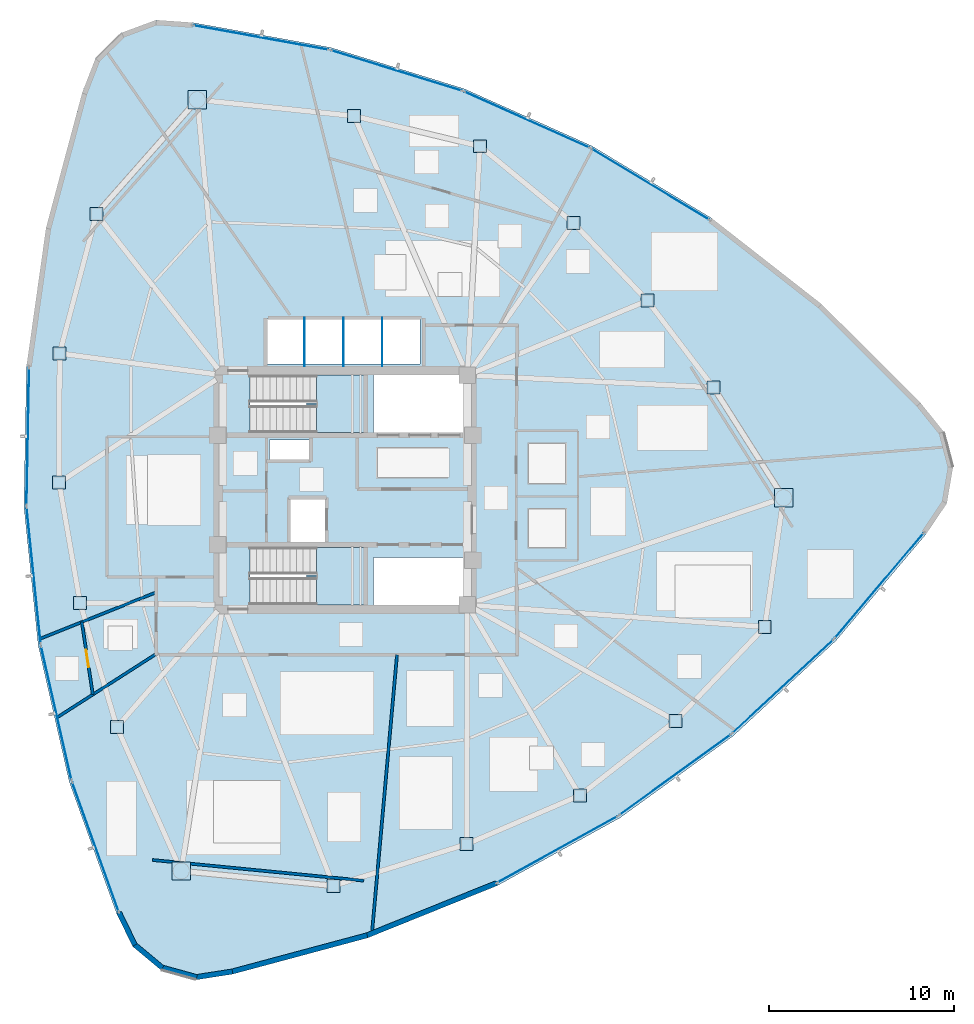
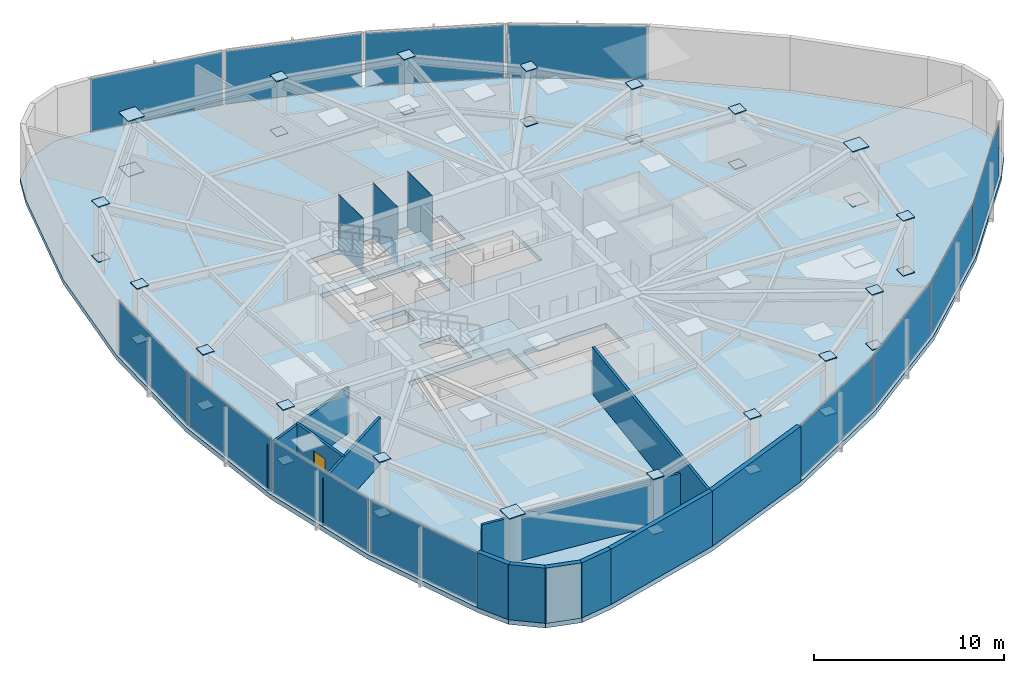
# One storey, part 10 of 17: 51 plates, 11 walls, 3 slabs, 1 door, 1 opening, 14 elements without a shape of their own.
"""IFC4 building model written with IfcOpenShell, lengths in metres."""

from ifc_helpers import new_model, si_unit, direction, frame, frame_2d, origin, origin_2d, place, context, subcontext, project, spatial, polyline, rectangle, outline, extrude, source, transform, mapped, material, layer, layer_set, type_object, type_shapes, element, fill, aggregate, save


model = new_model("IFC4")

# Units and contexts
model_context = context("Model", 3, precision=1e-05, world=origin(), true_north=direction((0.0, 1.0)))
body_context = subcontext(model_context, "Body", "Model", "MODEL_VIEW")
ifc_project = project(units=[si_unit("LENGTHUNIT", "METRE"), si_unit("AREAUNIT", "SQUARE_METRE"), si_unit("VOLUMEUNIT", "CUBIC_METRE"), si_unit("PLANEANGLEUNIT", "RADIAN"), si_unit("MASSUNIT", "GRAM", prefix="KILO")], contexts=[model_context])

# Site, building, storey
site_placement = place(None, origin())
site = spatial("IfcSite", under=ifc_project, at=site_placement, CompositionType="ELEMENT")
building_placement = place(site_placement, origin())
building = spatial("IfcBuilding", under=site, at=building_placement, Name="Tavelor Broadcast Tower", CompositionType="ELEMENT")
storey_placement = place(building_placement, frame((0.0, 0.0, 169.5)))
storey = spatial("IfcBuildingStorey", under=building, at=storey_placement, Name="L40", CompositionType="ELEMENT", Elevation=169.5)

# Stair, slab
ifc_material_1 = material(Name="Concrete C40/50", Category="concrete")
stair_type = type_object("IfcStairType", Name="Reinforced Concrete Protected Dogleg Stair 1450 mm", PredefinedType="HALF_TURN_STAIR", material=ifc_material_1)
stair_1_placement = place(storey_placement, origin())
stair_1 = element("IfcStair", 1, at=stair_1_placement, inside=storey, type_object=stair_type, Name="L40 Protected Core Exit Stair ST1", PredefinedType="HALF_TURN_STAIR")
ifc_layer_1 = layer(ifc_material_1, 0.199951171875)
ifc_layer_set_1 = layer_set([ifc_layer_1], Name="Concrete C40/50")
slab_type_1 = type_object("IfcSlabType", Name="Reinforced Concrete Stair Half-Landing Slab 200 mm", PredefinedType="LANDING", material=ifc_layer_set_1)
slab_1_placement = place(storey_placement, frame((0.0, 0.0, 1.72509765625)))
slab_1 = element("IfcSlab", 2, at=slab_1_placement, type_object=slab_type_1, Name="ST1 landing 1", PredefinedType="LANDING", context=body_context, shape_type="SweptSolid", body=[
    extrude(outline(polyline([(48.445068359375, 49.590087890625), (48.445068359375, 48.094970703125), (51.0048828125, 48.094970703125), (51.0048828125, 51.205078125), (48.445068359375, 51.205078125), (48.445068359375, 49.7099609375), (47.905029296875, 49.7099609375), (47.905029296875, 49.590087890625), (48.445068359375, 49.590087890625)])), origin(), (0.0, 0.0, 1.0), 0.199951171875),
])
aggregate(stair_1, [slab_1])

stair_2_placement = place(storey_placement, origin())
stair_2 = element("IfcStair", 3, at=stair_2_placement, inside=storey, type_object=stair_type, Name="L40 Protected Core Exit Stair ST2", PredefinedType="HALF_TURN_STAIR")
slab_2_placement = place(storey_placement, frame((0.0, 0.0, 1.72509765625)))
slab_2 = element("IfcSlab", 4, at=slab_2_placement, type_object=slab_type_1, Name="ST2 landing 1", PredefinedType="LANDING", context=body_context, shape_type="SweptSolid", body=[
    extrude(outline(polyline([(48.445068359375, 40.2900390625), (48.445068359375, 38.794921875), (51.0048828125, 38.794921875), (51.0048828125, 41.905029296875), (48.445068359375, 41.905029296875), (48.445068359375, 40.409912109375), (47.905029296875, 40.409912109375), (47.905029296875, 40.2900390625), (48.445068359375, 40.2900390625)])), origin(), (0.0, 0.0, 1.0), 0.199951171875),
])
aggregate(stair_2, [slab_2])

# Slab
ifc_layer_2 = layer(ifc_material_1, 0.300048828125)
ifc_layer_set_2 = layer_set([ifc_layer_2], Name="Concrete C40/50")
slab_type_2 = type_object("IfcSlabType", Name="Tower Composite Floor Slab 300 mm", PredefinedType="FLOOR", material=ifc_layer_set_2)
slab_3_placement = place(storey_placement, frame((0.0, 0.0, -0.300048828125)))
element("IfcSlab", 5, at=slab_3_placement, inside=storey, type_object=slab_type_2, Name="L40 Structural Floor Slab", PredefinedType="FLOOR", context=body_context, shape_type="SweptSolid", body=[
    extrude(outline(polyline([(41.767578125, 70.246337890625), (39.78759765625, 70.386474609375), (37.92529296875, 69.699462890625), (36.5107421875, 68.306884765625), (35.79443359375, 66.455810546875), (33.842041015625, 59.156982421875), (32.787109375, 51.67578125), (32.6455078125, 44.12158203125), (33.418701171875, 36.606201171875), (35.095947265625, 29.2392578125), (37.65234375, 22.129638671875), (38.52099609375, 20.3447265625), (40.047119140625, 19.075439453125), (41.960205078125, 18.546630859375), (43.921630859375, 18.85205078125), (51.218505859375, 20.810546875), (58.22509765625, 23.6376953125), (64.837890625, 27.2919921875), (70.9599609375, 31.719482421875), (76.501220703125, 36.85546875), (81.380126953125, 42.6240234375), (82.49169921875, 44.268798828125), (82.82763671875, 46.22509765625), (82.3291015625, 48.146240234375), (81.083984375, 49.692138671875), (75.7392578125, 55.032470703125), (69.787841796875, 59.6865234375), (63.316650390625, 63.586181640625), (56.42138671875, 66.67431640625), (49.202880859375, 68.9052734375), (41.767578125, 70.246337890625)]), holes=[polyline([(56.60009765625, 41.35009765625), (56.60009765625, 38.800048828125), (51.52001953125, 38.800048828125), (51.52001953125, 41.35009765625), (56.60009765625, 41.35009765625)]), polyline([(50.99609375, 38.803955078125), (44.85400390625, 38.803955078125), (44.85400390625, 41.89599609375), (50.99609375, 41.89599609375), (50.99609375, 38.803955078125)]), polyline([(47.050048828125, 42.199951171875), (47.050048828125, 44.550048828125), (48.949951171875, 44.550048828125), (48.949951171875, 42.199951171875), (47.050048828125, 42.199951171875)]), polyline([(48.050048828125, 46.64990234375), (45.89990234375, 46.64990234375), (45.89990234375, 47.699951171875), (48.050048828125, 47.699951171875), (48.050048828125, 46.64990234375)]), polyline([(50.99609375, 48.10400390625), (44.85400390625, 48.10400390625), (44.85400390625, 51.196044921875), (50.99609375, 51.196044921875), (50.99609375, 48.10400390625)]), polyline([(56.60009765625, 48.10009765625), (51.52001953125, 48.10009765625), (51.52001953125, 51.199951171875), (56.60009765625, 51.199951171875), (56.60009765625, 48.10009765625)]), polyline([(54.050048828125, 51.800048828125), (45.800048828125, 51.800048828125), (45.800048828125, 54.25), (54.050048828125, 54.25), (54.050048828125, 51.800048828125)])]), origin(), (0.0, 0.0, 1.0), 0.300048828125),
])

# Plates
ifc_material_2 = material(Name="Steel S460", Category="steel")
ifc_layer_3 = layer(ifc_material_2, 0.050048828125)
ifc_layer_set_3 = layer_set([ifc_layer_3], Name="Steel S460")
plate_type_1 = type_object("IfcPlateType", Name="Tube Hollow-End Cap Plate KN05 700x700x50", PredefinedType="USERDEFINED", material=ifc_layer_set_3)
shared_shape_1 = source(origin(), body_context, "Body", "SweptSolid", [
    extrude(rectangle(XDim=0.699951171875, YDim=0.699951171875, at=origin_2d()), origin(), (0.0, 0.0, 1.0), 0.054931640625),
])
for number, where, z_axis, x_axis, name in (
    (6, (36.567626953125, 59.91064453125, -0.02734375), (0.0, 0.0, 1.0), (1.0, 0.0, 0.0), "L40 Hollow End Cap Plate KN05 #1145"),
    (7, (36.567626953125, 59.91064453125, 3.5224609375), (0.0, 0.0, 1.0), (1.0, 0.0, 0.0), "L40 Hollow End Cap Plate KN05 #1146"),
    (8, (34.5751953125, 52.37939453125, -0.02734375), (0.0, 0.0, 1.0), (1.0, 0.0, 0.0), "L40 Hollow End Cap Plate KN05 #1147"),
    (9, (34.5751953125, 52.37939453125, 3.5224609375), (0.0, 0.0, 1.0), (1.0, 0.0, 0.0), "L40 Hollow End Cap Plate KN05 #1148"),
    (10, (34.54638671875, 45.399169921875, -0.02734375), (0.0, 0.0, 1.0), (1.0, 0.0, 0.0), "L40 Hollow End Cap Plate KN05 #1149"),
    (11, (34.54638671875, 45.399169921875, 3.5224609375), (0.0, 0.0, 1.0), (1.0, 0.0, 0.0), "L40 Hollow End Cap Plate KN05 #1150"),
    (12, (35.680908203125, 38.89990234375, -0.02734375), (0.0, 0.0, 1.0), (1.0, 0.0, 0.0), "L40 Hollow End Cap Plate KN05 #1151"),
    (13, (35.680908203125, 38.89990234375, 3.5224609375), (0.0, 0.0, 1.0), (1.0, 0.0, 0.0), "L40 Hollow End Cap Plate KN05 #1152"),
    (14, (37.668212890625, 32.1904296875, -0.02734375), (0.0, 0.0, 1.0), (1.0, 0.0, 0.0), "L40 Hollow End Cap Plate KN05 #1153"),
    (15, (37.668212890625, 32.1904296875, 3.5224609375), (0.0, 0.0, 1.0), (1.0, 0.0, 0.0), "L40 Hollow End Cap Plate KN05 #1154"),
    (16, (49.366455078125, 23.618896484375, -0.02734375), (0.0, 0.0, 1.0), (1.0, 0.0, 0.0), "L40 Hollow End Cap Plate KN05 #1157"),
    (17, (49.366455078125, 23.618896484375, 3.5224609375), (0.0, 0.0, 1.0), (1.0, 0.0, 0.0), "L40 Hollow End Cap Plate KN05 #1158"),
    (18, (56.56103515625, 25.872802734375, -0.02734375), (0.0, 0.0, 1.0), (1.0, 0.0, 0.0), "L40 Hollow End Cap Plate KN05 #1159"),
    (19, (56.56103515625, 25.872802734375, 3.5224609375), (0.0, 0.0, 1.0), (1.0, 0.0, 0.0), "L40 Hollow End Cap Plate KN05 #1160"),
    (20, (62.669189453125, 28.503173828125, -0.02734375), (0.0, 0.0, 1.0), (1.0, 0.0, 0.0), "L40 Hollow End Cap Plate KN05 #1161"),
    (21, (62.669189453125, 28.503173828125, 3.5224609375), (0.0, 0.0, 1.0), (1.0, 0.0, 0.0), "L40 Hollow End Cap Plate KN05 #1162"),
    (22, (67.84228515625, 32.53173828125, -0.02734375), (0.0, 0.0, 1.0), (1.0, 0.0, 0.0), "L40 Hollow End Cap Plate KN05 #1163"),
    (23, (67.84228515625, 32.53173828125, 3.5224609375), (0.0, 0.0, 1.0), (1.0, 0.0, 0.0), "L40 Hollow End Cap Plate KN05 #1164"),
    (24, (72.6591796875, 37.607421875, -0.02734375), (0.0, 0.0, 1.0), (1.0, 0.0, 0.0), "L40 Hollow End Cap Plate KN05 #1165"),
    (25, (72.6591796875, 37.607421875, 3.5224609375), (0.0, 0.0, 1.0), (1.0, 0.0, 0.0), "L40 Hollow End Cap Plate KN05 #1166"),
    (26, (69.885986328125, 50.544189453125, -0.02734375), (0.0, 0.0, 1.0), (1.0, 0.0, 0.0), "L40 Hollow End Cap Plate KN05 #1169"),
    (27, (69.885986328125, 50.544189453125, 3.5224609375), (0.0, 0.0, 1.0), (1.0, 0.0, 0.0), "L40 Hollow End Cap Plate KN05 #1170"),
    (28, (66.322021484375, 55.228759765625, -0.02734375), (0.0, 0.0, 1.0), (1.0, 0.0, 0.0), "L40 Hollow End Cap Plate KN05 #1171"),
    (29, (66.322021484375, 55.228759765625, 3.5224609375), (0.0, 0.0, 1.0), (1.0, 0.0, 0.0), "L40 Hollow End Cap Plate KN05 #1172"),
    (30, (62.330810546875, 59.416259765625, -0.02734375), (0.0, 0.0, 1.0), (1.0, 0.0, 0.0), "L40 Hollow End Cap Plate KN05 #1173"),
    (31, (62.330810546875, 59.416259765625, 3.5224609375), (0.0, 0.0, 1.0), (1.0, 0.0, 0.0), "L40 Hollow End Cap Plate KN05 #1174"),
    (32, (57.276611328125, 63.568359375, -0.02734375), (0.0, 0.0, 1.0), (1.0, 0.0, 0.0), "L40 Hollow End Cap Plate KN05 #1175"),
    (33, (57.276611328125, 63.568359375, 3.5224609375), (0.0, 0.0, 1.0), (1.0, 0.0, 0.0), "L40 Hollow End Cap Plate KN05 #1176"),
    (34, (50.472412109375, 65.2021484375, -0.02734375), (0.0, 0.0, 1.0), (1.0, 0.0, 0.0), "L40 Hollow End Cap Plate KN05 #1177"),
    (35, (50.472412109375, 65.2021484375, 3.5224609375), (0.0, 0.0, 1.0), (1.0, 0.0, 0.0), "L40 Hollow End Cap Plate KN05 #1178"),
):
    element("IfcPlate", number, at=place(storey_placement, frame(where, z_axis=z_axis, x_axis=x_axis)), inside=storey, type_object=plate_type_1, Name=name, ObjectType="CAP PLATE", PredefinedType="USERDEFINED", context=body_context, shape_type="MappedRepresentation", body=[
        mapped(shared_shape_1, transform((0.0, 0.0, 0.0), scale=1.0)),
    ])
shared_shape_2 = source(origin(), body_context, "Body", "SweptSolid", [
    extrude(rectangle(XDim=0.993896484375, YDim=0.993896484375, at=origin_2d()), origin(), (0.0, 0.0, 1.0), 0.054931640625),
])
type_shapes(plate_type_1, [shared_shape_1, shared_shape_2])
for number, where, z_axis, x_axis, name in (
    (36, (42.01123046875, 66.080078125, -0.02734375), (0.0, 0.0, 1.0), (1.0, 0.0, 0.0), "L40 Hollow End Cap Plate KN05 #1143"),
    (37, (42.01123046875, 66.080078125, 3.5224609375), (0.0, 0.0, 1.0), (1.0, 0.0, 0.0), "L40 Hollow End Cap Plate KN05 #1144"),
    (38, (41.138671875, 24.423828125, -0.02734375), (0.0, 0.0, 1.0), (1.0, 0.0, 0.0), "L40 Hollow End Cap Plate KN05 #1155"),
    (39, (41.138671875, 24.423828125, 3.5224609375), (0.0, 0.0, 1.0), (1.0, 0.0, 0.0), "L40 Hollow End Cap Plate KN05 #1156"),
    (40, (73.676025390625, 44.57958984375, -0.02734375), (0.0, 0.0, 1.0), (1.0, 0.0, 0.0), "L40 Hollow End Cap Plate KN05 #1167"),
    (41, (73.676025390625, 44.57958984375, 3.5224609375), (0.0, 0.0, 1.0), (1.0, 0.0, 0.0), "L40 Hollow End Cap Plate KN05 #1168"),
):
    element("IfcPlate", number, at=place(storey_placement, frame(where, z_axis=z_axis, x_axis=x_axis)), inside=storey, type_object=plate_type_1, Name=name, ObjectType="CAP PLATE", PredefinedType="USERDEFINED", context=body_context, shape_type="MappedRepresentation", body=[
        mapped(shared_shape_2, transform((0.0, 0.0, 0.0), scale=1.0)),
    ])
ifc_material_3 = material(Name="Steel S355", Category="steel")
ifc_layer_4 = layer(ifc_material_3, 0.011962890625)
ifc_layer_set_4 = layer_set([ifc_layer_4], Name="Steel S355")
plate_type_2 = type_object("IfcPlateType", Name="Hoistway Steel Separator Screen 12 mm", PredefinedType="SHEET", material=ifc_layer_set_4)
shared_shape_3 = source(origin(), body_context, "Body", "SweptSolid", [
    extrude(rectangle(XDim=0.02001953125, YDim=2.6201171875, at=origin_2d()), origin(), (0.0, 0.0, 1.0), 3.550048828125),
])
type_shapes(plate_type_2, [shared_shape_3])
for number, where, z_axis, x_axis, name in (
    (42, (47.800048828125, 52.989990234375, 0.0), (0.0, 0.0, 1.0), (1.0, 0.0, 0.0), "L40 High-Rise Hoistway Separator Screen 1"),
    (43, (49.89990234375, 52.989990234375, 0.0), (0.0, 0.0, 1.0), (1.0, 0.0, 0.0), "L40 High-Rise Hoistway Separator Screen 2"),
    (44, (52.0, 52.989990234375, 0.0), (0.0, 0.0, 1.0), (1.0, 0.0, 0.0), "L40 High-Rise Hoistway Separator Screen 3"),
):
    element("IfcPlate", number, at=place(storey_placement, frame(where, z_axis=z_axis, x_axis=x_axis)), inside=storey, type_object=plate_type_2, Name=name, PredefinedType="SHEET", context=body_context, shape_type="MappedRepresentation", body=[
        mapped(shared_shape_3, transform((0.0, 0.0, 0.0), scale=1.0)),
    ])

# Curtain wall, plate
ifc_material_4 = material(Name="Architectural Anodized Aluminium", Category="aluminium")
ifc_layer_5 = layer(ifc_material_4, 0.18994140625)
ifc_layer_set_5 = layer_set([ifc_layer_5], Name="Architectural Anodized Aluminium")
curtain_wall_type = type_object("IfcCurtainWallType", Name="Tower Mid-Zone Acoustic Curtain Wall CW03", PredefinedType="NOTDEFINED", material=ifc_layer_set_5)
curtain_wall_1_placement = place(storey_placement, origin())
curtain_wall_1 = element("IfcCurtainWall", 45, at=curtain_wall_1_placement, inside=storey, type_object=curtain_wall_type, Name="L40 Curtain Wall CW03 Run 424", PredefinedType="NOTDEFINED")
ifc_material_5 = material(Name="Solar Control Double Glazing 30 mm", Category="glass")
ifc_layer_6 = layer(ifc_material_5, 0.030029296875)
ifc_layer_set_6 = layer_set([ifc_layer_6], Name="Solar Control Double Glazing 30 mm")
plate_type_3 = type_object("IfcPlateType", Name="CW03 Insulated Vision Glazing Panel 30 mm", PredefinedType="CURTAIN_PANEL", material=ifc_layer_set_6)
shared_shape_4 = source(origin(), body_context, "Body", "SweptSolid", [
    extrude(rectangle(XDim=7.38818359375, YDim=0.030029296875, at=origin_2d()), origin(), (0.0, 0.0, 1.0), 3.4140625),
])
plate_1_placement = place(storey_placement, frame((36.508544921875, 25.724365234375, 0.06787109375), z_axis=(0.0, 0.0, 1.0), x_axis=(0.338345297906, -0.941022029171, 0.0)))
plate_1 = element("IfcPlate", 46, at=plate_1_placement, type_object=plate_type_3, Name="CW03 panel 1.1", PredefinedType="CURTAIN_PANEL", context=body_context, shape_type="MappedRepresentation", body=[
    mapped(shared_shape_4, transform((0.0, 0.0, 0.0), scale=1.0)),
])
aggregate(curtain_wall_1, [plate_1])

curtain_wall_2_placement = place(storey_placement, origin())
curtain_wall_2 = element("IfcCurtainWall", 47, at=curtain_wall_2_placement, inside=storey, type_object=curtain_wall_type, Name="L40 Curtain Wall CW03 Run 428", PredefinedType="NOTDEFINED")
plate_2_placement = place(storey_placement, frame((78.8388671875, 39.836181640625, 0.06787109375), z_axis=(0.0, 0.0, 1.0), x_axis=(0.645774215025, 0.763528429863, 0.0)))
plate_2 = element("IfcPlate", 48, at=plate_2_placement, type_object=plate_type_3, Name="CW03 panel 1.1", PredefinedType="CURTAIN_PANEL", context=body_context, shape_type="MappedRepresentation", body=[
    mapped(shared_shape_4, transform((0.0, 0.0, 0.0), scale=1.0)),
])
aggregate(curtain_wall_2, [plate_2])

curtain_wall_3_placement = place(storey_placement, origin())
curtain_wall_3 = element("IfcCurtainWall", 49, at=curtain_wall_3_placement, inside=storey, type_object=curtain_wall_type, Name="L40 Curtain Wall CW03 Run 432", PredefinedType="NOTDEFINED")
plate_3_placement = place(storey_placement, frame((45.452392578125, 69.439453125, 0.06787109375), z_axis=(0.0, 0.0, 1.0), x_axis=(-0.984122184547, 0.177492326261, 0.0)))
plate_3 = element("IfcPlate", 50, at=plate_3_placement, type_object=plate_type_3, Name="CW03 panel 1.1", PredefinedType="CURTAIN_PANEL", context=body_context, shape_type="MappedRepresentation", body=[
    mapped(shared_shape_4, transform((0.0, 0.0, 0.0), scale=1.0)),
])
aggregate(curtain_wall_3, [plate_3])

curtain_wall_4_placement = place(storey_placement, origin())
curtain_wall_4 = element("IfcCurtainWall", 51, at=curtain_wall_4_placement, inside=storey, type_object=curtain_wall_type, Name="L40 Curtain Wall CW03 Run 421", PredefinedType="NOTDEFINED")
shared_shape_5 = source(origin(), body_context, "Body", "SweptSolid", [
    extrude(rectangle(XDim=7.38720703125, YDim=0.030029296875, at=origin_2d()), origin(), (0.0, 0.0, 1.0), 3.4140625),
])
plate_4_placement = place(storey_placement, frame((32.8564453125, 47.903564453125, 0.06787109375), z_axis=(0.0, 0.0, 1.0), x_axis=(-0.018768296874, -0.999823860004, 0.0)))
plate_4 = element("IfcPlate", 52, at=plate_4_placement, type_object=plate_type_3, Name="CW03 panel 1.1", PredefinedType="CURTAIN_PANEL", context=body_context, shape_type="MappedRepresentation", body=[
    mapped(shared_shape_5, transform((0.0, 0.0, 0.0), scale=1.0)),
])
aggregate(curtain_wall_4, [plate_4])

curtain_wall_5_placement = place(storey_placement, origin())
curtain_wall_5 = element("IfcCurtainWall", 53, at=curtain_wall_5_placement, inside=storey, type_object=curtain_wall_type, Name="L40 Curtain Wall CW03 Run 425", PredefinedType="NOTDEFINED")
plate_5_placement = place(storey_placement, frame((61.457275390625, 25.583740234375, 0.06787109375), z_axis=(0.0, 0.0, 1.0), x_axis=(0.875251012429, 0.483668962455, 0.0)))
plate_5 = element("IfcPlate", 54, at=plate_5_placement, type_object=plate_type_3, Name="CW03 panel 1.1", PredefinedType="CURTAIN_PANEL", context=body_context, shape_type="MappedRepresentation", body=[
    mapped(shared_shape_5, transform((0.0, 0.0, 0.0), scale=1.0)),
])
aggregate(curtain_wall_5, [plate_5])

curtain_wall_6_placement = place(storey_placement, origin())
curtain_wall_6 = element("IfcCurtainWall", 55, at=curtain_wall_6_placement, inside=storey, type_object=curtain_wall_type, Name="L40 Curtain Wall CW03 Run 422", PredefinedType="NOTDEFINED")
shared_shape_6 = source(origin(), body_context, "Body", "SweptSolid", [
    extrude(rectangle(XDim=7.372314453125, YDim=0.030029296875, at=origin_2d()), origin(), (0.0, 0.0, 1.0), 3.4140625),
])
plate_6_placement = place(storey_placement, frame((33.17138671875, 40.378173828125, 0.06787109375), z_axis=(0.0, 0.0, 1.0), x_axis=(0.102366129224, -0.994746789685, 0.0)))
plate_6 = element("IfcPlate", 56, at=plate_6_placement, type_object=plate_type_3, Name="CW03 panel 1.1", PredefinedType="CURTAIN_PANEL", context=body_context, shape_type="MappedRepresentation", body=[
    mapped(shared_shape_6, transform((0.0, 0.0, 0.0), scale=1.0)),
])
aggregate(curtain_wall_6, [plate_6])

curtain_wall_7_placement = place(storey_placement, origin())
curtain_wall_7 = element("IfcCurtainWall", 57, at=curtain_wall_7_placement, inside=storey, type_object=curtain_wall_type, Name="L40 Curtain Wall CW03 Run 423", PredefinedType="NOTDEFINED")
plate_7_placement = place(storey_placement, frame((34.393798828125, 32.953857421875, 0.06787109375), z_axis=(0.0, 0.0, 1.0), x_axis=(0.221992959165, -0.97504826859, 0.0)))
plate_7 = element("IfcPlate", 58, at=plate_7_placement, type_object=plate_type_3, Name="CW03 panel 1.1", PredefinedType="CURTAIN_PANEL", context=body_context, shape_type="MappedRepresentation", body=[
    mapped(shared_shape_6, transform((0.0, 0.0, 0.0), scale=1.0)),
])
aggregate(curtain_wall_7, [plate_7])

curtain_wall_8_placement = place(storey_placement, origin())
curtain_wall_8 = element("IfcCurtainWall", 59, at=curtain_wall_8_placement, inside=storey, type_object=curtain_wall_type, Name="L40 Curtain Wall CW03 Run 426", PredefinedType="NOTDEFINED")
plate_8_placement = place(storey_placement, frame((67.81689453125, 29.619140625, 0.06787109375), z_axis=(0.0, 0.0, 1.0), x_axis=(0.810288865425, 0.586030677157, 0.0)))
plate_8 = element("IfcPlate", 60, at=plate_8_placement, type_object=plate_type_3, Name="CW03 panel 1.1", PredefinedType="CURTAIN_PANEL", context=body_context, shape_type="MappedRepresentation", body=[
    mapped(shared_shape_6, transform((0.0, 0.0, 0.0), scale=1.0)),
])
aggregate(curtain_wall_8, [plate_8])

curtain_wall_9_placement = place(storey_placement, origin())
curtain_wall_9 = element("IfcCurtainWall", 61, at=curtain_wall_9_placement, inside=storey, type_object=curtain_wall_type, Name="L40 Curtain Wall CW03 Run 427", PredefinedType="NOTDEFINED")
plate_9_placement = place(storey_placement, frame((73.635498046875, 34.39013671875, 0.06787109375), z_axis=(0.0, 0.0, 1.0), x_axis=(0.733427867308, 0.67976728625, 0.0)))
plate_9 = element("IfcPlate", 62, at=plate_9_placement, type_object=plate_type_3, Name="CW03 panel 1.1", PredefinedType="CURTAIN_PANEL", context=body_context, shape_type="MappedRepresentation", body=[
    mapped(shared_shape_6, transform((0.0, 0.0, 0.0), scale=1.0)),
])
aggregate(curtain_wall_9, [plate_9])

curtain_wall_10_placement = place(storey_placement, origin())
curtain_wall_10 = element("IfcCurtainWall", 63, at=curtain_wall_10_placement, inside=storey, type_object=curtain_wall_type, Name="L40 Curtain Wall CW03 Run 430", PredefinedType="NOTDEFINED")
plate_10_placement = place(storey_placement, frame((59.811767578125, 65.00244140625, 0.06787109375), z_axis=(0.0, 0.0, 1.0), x_axis=(-0.91265395177, 0.408733121142, 0.0)))
plate_10 = element("IfcPlate", 64, at=plate_10_placement, type_object=plate_type_3, Name="CW03 panel 1.1", PredefinedType="CURTAIN_PANEL", context=body_context, shape_type="MappedRepresentation", body=[
    mapped(shared_shape_6, transform((0.0, 0.0, 0.0), scale=1.0)),
])
aggregate(curtain_wall_10, [plate_10])

curtain_wall_11_placement = place(storey_placement, origin())
curtain_wall_11 = element("IfcCurtainWall", 65, at=curtain_wall_11_placement, inside=storey, type_object=curtain_wall_type, Name="L40 Curtain Wall CW03 Run 431", PredefinedType="NOTDEFINED")
plate_11_placement = place(storey_placement, frame((52.770751953125, 67.656005859375, 0.06787109375), z_axis=(0.0, 0.0, 1.0), x_axis=(-0.955412547034, 0.295274219954, 0.0)))
plate_11 = element("IfcPlate", 66, at=plate_11_placement, type_object=plate_type_3, Name="CW03 panel 1.1", PredefinedType="CURTAIN_PANEL", context=body_context, shape_type="MappedRepresentation", body=[
    mapped(shared_shape_6, transform((0.0, 0.0, 0.0), scale=1.0)),
])
aggregate(curtain_wall_11, [plate_11])

curtain_wall_12_placement = place(storey_placement, origin())
curtain_wall_12 = element("IfcCurtainWall", 67, at=curtain_wall_12_placement, inside=storey, type_object=curtain_wall_type, Name="L40 Curtain Wall CW03 Run 429", PredefinedType="NOTDEFINED")
shared_shape_7 = source(origin(), body_context, "Body", "SweptSolid", [
    extrude(rectangle(XDim=7.387451171875, YDim=0.030029296875, at=origin_2d()), origin(), (0.0, 0.0, 1.0), 3.4140625),
])
type_shapes(plate_type_3, [shared_shape_4, shared_shape_5, shared_shape_6, shared_shape_7])
plate_12_placement = place(storey_placement, frame((66.486328125, 61.5126953125, 0.06787109375), z_axis=(0.0, 0.0, 1.0), x_axis=(-0.856495593818, 0.516154335225, 0.0)))
plate_12 = element("IfcPlate", 68, at=plate_12_placement, type_object=plate_type_3, Name="CW03 panel 1.1", PredefinedType="CURTAIN_PANEL", context=body_context, shape_type="MappedRepresentation", body=[
    mapped(shared_shape_7, transform((0.0, 0.0, 0.0), scale=1.0)),
])
aggregate(curtain_wall_12, [plate_12])

# Walls
ifc_material_6 = material(Name="Precast Concrete C40/50", Category="concrete")
ifc_layer_7 = layer(ifc_material_6, 0.280029296875)
ifc_layer_set_7 = layer_set([ifc_layer_7], Name="Precast Concrete C40/50")
wall_type_1 = type_object("IfcWallType", Name="Insulated Precast Terracotta Facade Wall 280 mm", PredefinedType="STANDARD", material=ifc_layer_set_7)
wall_1_placement = place(storey_placement, frame((37.77978515625, 22.187744140625, 0.0), z_axis=(0.0, 0.0, 1.0), x_axis=(0.437552550661, -0.899192841058, 0.0)))
element("IfcWall", 69, at=wall_1_placement, inside=storey, type_object=wall_type_1, Name="L40 Rounded Corner Structural Cladding Pier 11", PredefinedType="STANDARD", context=body_context, shape_type="SweptSolid", body=[
    extrude(rectangle(XDim=1.96630859375, YDim=0.280029296875, at=frame_2d((0.983154296875, 0.0))), origin(), (0.0, 0.0, 1.0), 3.550048828125),
])
wall_2_placement = place(storey_placement, frame((38.6220703125, 20.44287109375, 0.0), z_axis=(0.0, 0.0, 1.0), x_axis=(0.768835148957, -0.639447037469, 0.0)))
element("IfcWall", 70, at=wall_2_placement, inside=storey, type_object=wall_type_1, Name="L40 Rounded Corner Structural Cladding Pier 12", PredefinedType="STANDARD", context=body_context, shape_type="SweptSolid", body=[
    extrude(rectangle(XDim=1.954833984375, YDim=0.280029296875, at=frame_2d((0.9775390625, 0.0))), origin(), (0.0, 0.0, 1.0), 3.550048828125),
])
wall_3_placement = place(storey_placement, frame((40.098876953125, 19.206298828125, 0.0), z_axis=(0.0, 0.0, 1.0), x_axis=(0.963890967776, -0.266297206596, 0.0)))
element("IfcWall", 71, at=wall_3_placement, inside=storey, type_object=wall_type_1, Name="L40 Rounded Corner Structural Cladding Pier 13", PredefinedType="STANDARD", context=body_context, shape_type="SweptSolid", body=[
    extrude(rectangle(XDim=1.95458984375, YDim=0.280029296875, at=frame_2d((0.977294921875, 0.0))), origin(), (0.0, 0.0, 1.0), 3.550048828125),
])
wall_4_placement = place(storey_placement, frame((41.95361328125, 18.6875, 0.0), z_axis=(0.0, 0.0, 1.0), x_axis=(0.988096041366, 0.153838269092, 0.0)))
element("IfcWall", 72, at=wall_4_placement, inside=storey, type_object=wall_type_1, Name="L40 Rounded Corner Structural Cladding Pier 14", PredefinedType="STANDARD", context=body_context, shape_type="SweptSolid", body=[
    extrude(rectangle(XDim=1.977294921875, YDim=0.280029296875, at=frame_2d((0.98876953125, 0.0))), origin(), (0.0, 0.0, 1.0), 3.550048828125),
])
wall_5_placement = place(storey_placement, frame((43.878173828125, 18.9853515625, 0.0), z_axis=(0.0, 0.0, 1.0), x_axis=(0.965816645987, 0.259226168307, 0.0)))
element("IfcWall", 73, at=wall_5_placement, inside=storey, type_object=wall_type_1, Name="L40 Rounded Corner Structural Cladding Pier 15", PredefinedType="STANDARD", context=body_context, shape_type="SweptSolid", body=[
    extrude(rectangle(XDim=7.5693359375, YDim=0.280029296875, at=frame_2d((3.78466796875, 0.0))), origin(), (0.0, 0.0, 1.0), 3.550048828125),
])
wall_6_placement = place(storey_placement, frame((51.16015625, 20.93798828125, 0.0), z_axis=(0.0, 0.0, 1.0), x_axis=(0.927351809246, 0.374190622396, 0.0)))
element("IfcWall", 74, at=wall_6_placement, inside=storey, type_object=wall_type_1, Name="L40 Rounded Corner Structural Cladding Pier 16", PredefinedType="STANDARD", context=body_context, shape_type="SweptSolid", body=[
    extrude(rectangle(XDim=7.557373046875, YDim=0.280029296875, at=frame_2d((3.77880859375, 0.0))), origin(), (0.0, 0.0, 1.0), 3.550048828125),
])
ifc_material_7 = material(Name="Gypsum Acoustic Plasterboard 150 mm", Category="gypsum")
ifc_layer_8 = layer(ifc_material_7, 0.14990234375)
ifc_layer_set_8 = layer_set([ifc_layer_8], Name="Gypsum Acoustic Plasterboard 150 mm")
wall_type_2 = type_object("IfcWallType", Name="Interior Acoustic Partition Wall 150 mm", PredefinedType="PARTITIONING", material=ifc_layer_set_8)
wall_7_placement = place(storey_placement, frame((39.589111328125, 25.017578125, 0.0), z_axis=(0.0, 0.0, 1.0), x_axis=(0.99524905582, -0.097361783517, 0.0)))
element("IfcWall", 75, at=wall_7_placement, inside=storey, type_object=wall_type_2, Name="L40 Corner Tube Brace Furring Wall 2", PredefinedType="PARTITIONING", context=body_context, shape_type="SweptSolid", body=[
    extrude(rectangle(XDim=11.467041015625, YDim=0.14990234375, at=frame_2d((5.7333984375, 0.0))), origin(), (0.0, 0.0, 1.0), 2.93505859375),
])
wall_8_placement = place(storey_placement, frame((39.800048828125, 39.4794921875, 0.0), z_axis=(0.0, 0.0, 1.0), x_axis=(-0.928454311924, -0.37144661887, 0.0)))
element("IfcWall", 76, at=wall_8_placement, inside=storey, type_object=wall_type_2, Name="L40 Radial Compartment Wall 03", PredefinedType="PARTITIONING", context=body_context, shape_type="SweptSolid", body=[
    extrude(rectangle(XDim=6.771728515625, YDim=0.14990234375, at=frame_2d((3.3857421875, 0.0))), origin(), (0.0, 0.0, 1.0), 2.93505859375),
])
wall_9_placement = place(storey_placement, frame((39.800048828125, 36.15234375, 0.0), z_axis=(0.0, 0.0, 1.0), x_axis=(-0.84184162855, -0.539724626491, 0.0)))
element("IfcWall", 77, at=wall_9_placement, inside=storey, type_object=wall_type_2, Name="L40 Radial Compartment Wall 04", PredefinedType="PARTITIONING", context=body_context, shape_type="SweptSolid", body=[
    extrude(rectangle(XDim=6.369384765625, YDim=0.14990234375, at=frame_2d((3.1845703125, 0.0))), origin(), (0.0, 0.0, 1.0), 3.02490234375),
])
wall_10_placement = place(storey_placement, frame((52.798583984375, 36.10009765625, 0.0), z_axis=(0.0, 0.0, 1.0), x_axis=(-0.089665089221, -0.995971973388, 0.0)))
element("IfcWall", 78, at=wall_10_placement, inside=storey, type_object=wall_type_2, Name="L40 Radial Compartment Wall 05", PredefinedType="PARTITIONING", context=body_context, shape_type="SweptSolid", body=[
    extrude(rectangle(XDim=15.11962890625, YDim=0.14990234375, at=frame_2d((7.559814453125, 0.0))), origin(), (0.0, 0.0, 1.0), 3.02490234375),
])

# Wall, opening, door
wall_11_placement = place(storey_placement, frame((35.776123046875, 37.86962890625, 0.0), z_axis=(0.0, 0.0, 1.0), x_axis=(0.149491405871, -0.988763024982, 0.0)))
wall_11 = element("IfcWall", 79, at=wall_11_placement, inside=storey, type_object=wall_type_2, Name="L40 Suite Chord Partition Wall 02", PredefinedType="PARTITIONING", context=body_context, shape_type="SweptSolid", body=[
    extrude(rectangle(XDim=3.9619140625, YDim=0.14990234375, at=frame_2d((1.98095703125, 0.0))), origin(), (0.0, 0.0, 1.0), 3.02490234375),
])
opening_placement = place(wall_11_placement, frame((1.506103515625, 0.0, 0.0)))
opening = element("IfcOpeningElement", 80, at=opening_placement, cuts=wall_11, Name="Opening DR23", PredefinedType="OPENING", context=body_context, shape_type="SweptSolid", body=[
    extrude(rectangle(XDim=0.949951171875, YDim=2.050048828125, at=frame_2d((0.47509765625, 1.02490234375))), frame((0.0, 0.0849609375, 0.0), z_axis=(0.0, -1.0, 0.0), x_axis=(1.0, 0.0, 0.0)), (0.0, 0.0, 1.0), 0.169921875),
])
ifc_material_8 = material(Name="Timber Solid Core Hardwood", Category="wood")
door_type = type_object("IfcDoorType", Name="Editorial Room Acoustic Door 950x2050", OperationType="NOTDEFINED", PredefinedType="DOOR", material=ifc_material_8)
door_placement = place(opening_placement, origin())
door = element("IfcDoor", 81, at=door_placement, inside=storey, type_object=door_type, Name="L40 Outer Suite Partition Door 2", OperationType="SINGLE_SWING_RIGHT", OverallHeight=2.050048828125, OverallWidth=0.949951171875, PredefinedType="DOOR", context=body_context, shape_type="SweptSolid", body=[
    extrude(rectangle(XDim=0.949951171875, YDim=2.050048828125, at=frame_2d((0.47509765625, 1.02490234375))), frame((0.0, 0.02490234375, 0.0), z_axis=(0.0, -1.0, 0.0), x_axis=(1.0, 0.0, 0.0)), (0.0, 0.0, 1.0), 0.050048828125),
])
fill(opening, door)

save(model, "model.ifc")
